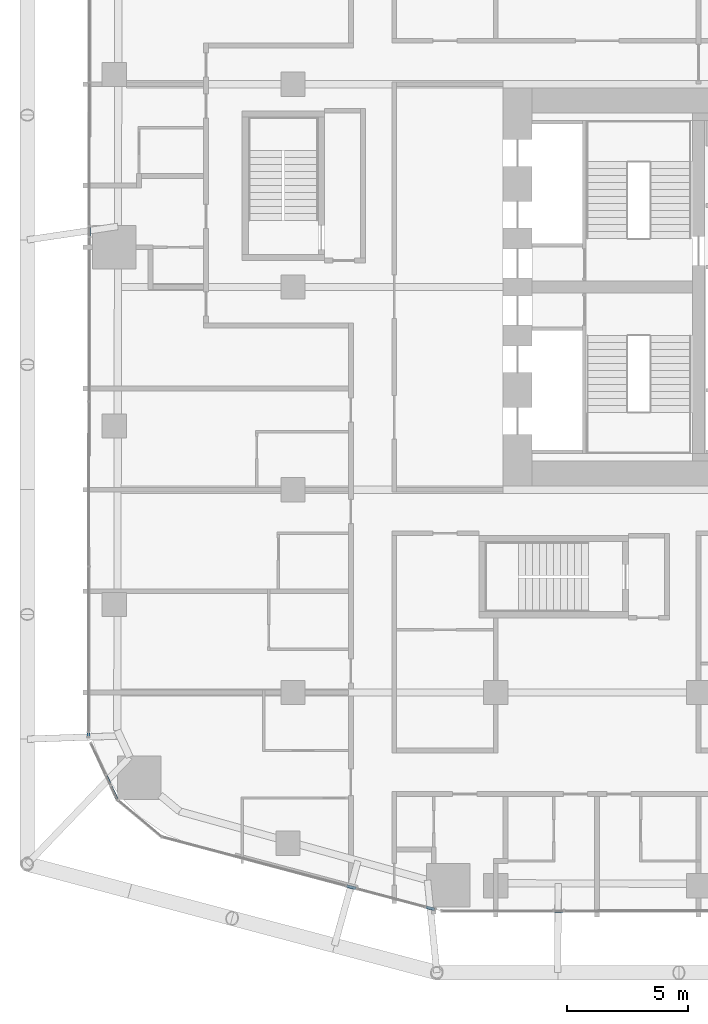
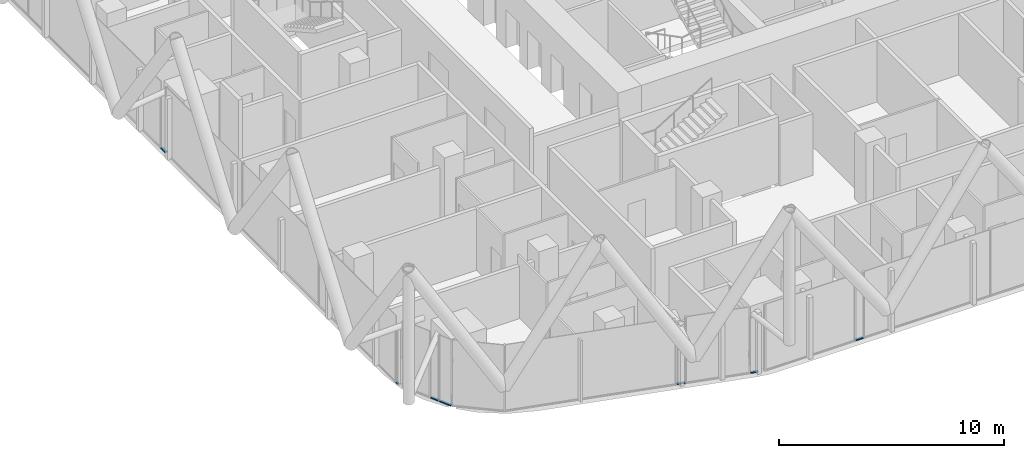
# One storey, part 16 of 38: 7 members, 7 elements without a shape of their own.
"""IFC4 building model written with IfcOpenShell, lengths in metres."""

from ifc_helpers import new_model, si_unit, direction, frame, origin, origin_2d, place, context, subcontext, project, spatial, rectangle, extrude, material, layer, layer_set, material_profile, profile_set, type_object, element, aggregate, save


model = new_model("IFC4")

# Units and contexts
model_context = context("Model", 3, precision=1e-05, world=origin(), true_north=direction((0.0, 1.0)))
body_context = subcontext(model_context, "Body", "Model", "MODEL_VIEW")
ifc_project = project(units=[si_unit("LENGTHUNIT", "METRE"), si_unit("AREAUNIT", "SQUARE_METRE"), si_unit("VOLUMEUNIT", "CUBIC_METRE"), si_unit("PLANEANGLEUNIT", "RADIAN"), si_unit("MASSUNIT", "GRAM", prefix="KILO")], contexts=[model_context])

# Site, building, storey
site_placement = place(None, origin())
site = spatial("IfcSite", under=ifc_project, at=site_placement, CompositionType="ELEMENT")
building_placement = place(site_placement, origin())
building = spatial("IfcBuilding", under=site, at=building_placement, Name="Marenta Gate Hotel Tower", CompositionType="ELEMENT")
storey_placement = place(building_placement, frame((0.0, 0.0, 40.10009765625)))
storey = spatial("IfcBuildingStorey", under=building, at=storey_placement, Name="L07", CompositionType="ELEMENT", Elevation=40.10009765625)

# Curtain wall, member
ifc_material_1 = material(Name="Tinted insulated glass in bronze anodised frame", Category="glass")
ifc_layer = layer(ifc_material_1, 0.1201171875)
ifc_layer_set = layer_set([ifc_layer], Name="Tinted insulated glass in bronze anodised frame")
curtain_wall_type = type_object("IfcCurtainWallType", Name="Tower unitised curtain wall CW1", PredefinedType="NOTDEFINED", material=ifc_layer_set)
curtain_wall_1_placement = place(storey_placement, origin())
curtain_wall_1 = element("IfcCurtainWall", 1, at=curtain_wall_1_placement, inside=storey, type_object=curtain_wall_type, Name="CW1 run G07", PredefinedType="NOTDEFINED")
ifc_material_2 = material(Name="Bronze anodised aluminium", Category="aluminium")
ifc_material_profile = material_profile(ifc_material_2, rectangle(XDim=0.1201171875, YDim=0.06005859375, at=origin_2d()), Name="Transom CW1 60x120 bronze anodised aluminium")
ifc_profile_set = profile_set([ifc_material_profile], Name="Bronze anodised aluminium")
member_type = type_object("IfcMemberType", Name="Transom CW1 60x120 bronze anodised aluminium", PredefinedType="USERDEFINED", material=ifc_profile_set)
member_1_placement = place(storey_placement, frame((-29.440185546875, 10.90087890625, 0.02978515625), z_axis=(-0.001839359243, -0.999998308377, 0.0), x_axis=(0.999998308377, -0.001839359243, 0.0)))
member_1 = element("IfcMember", 2, at=member_1_placement, type_object=member_type, Name="CW1 transom 1.1", ObjectType="TRANSOM", PredefinedType="USERDEFINED", context=body_context, shape_type="SweptSolid", body=[
    extrude(rectangle(XDim=0.1201171875, YDim=0.06005859375, at=origin_2d()), origin(), (0.0, 0.0, 1.0), 0.398193359375),
])
aggregate(curtain_wall_1, [member_1])

curtain_wall_2_placement = place(storey_placement, origin())
curtain_wall_2 = element("IfcCurtainWall", 3, at=curtain_wall_2_placement, inside=storey, type_object=curtain_wall_type, Name="CW1 run G09", PredefinedType="NOTDEFINED")
member_2_placement = place(storey_placement, frame((-29.472900390625, -10.073486328125, 0.02978515625), z_axis=(-0.001712326257, -0.999998533968, 0.0), x_axis=(0.999998533968, -0.001712326257, 0.0)))
member_2 = element("IfcMember", 4, at=member_2_placement, type_object=member_type, Name="CW1 transom 1.1", ObjectType="TRANSOM", PredefinedType="USERDEFINED", context=body_context, shape_type="SweptSolid", body=[
    extrude(rectangle(XDim=0.1201171875, YDim=0.06005859375, at=origin_2d()), origin(), (0.0, 0.0, 1.0), 0.142578125),
])
aggregate(curtain_wall_2, [member_2])

curtain_wall_3_placement = place(storey_placement, origin())
curtain_wall_3 = element("IfcCurtainWall", 5, at=curtain_wall_3_placement, inside=storey, type_object=curtain_wall_type, Name="CW1 run G11", PredefinedType="NOTDEFINED")
member_3_placement = place(storey_placement, frame((-28.739501953125, -11.84619140625, 0.02978515625), z_axis=(0.422979592387, -0.906139208082, 0.0), x_axis=(0.906139208082, 0.422979592387, 0.0)))
member_3 = element("IfcMember", 6, at=member_3_placement, type_object=member_type, Name="CW1 transom 1.1", ObjectType="TRANSOM", PredefinedType="USERDEFINED", context=body_context, shape_type="SweptSolid", body=[
    extrude(rectangle(XDim=0.1201171875, YDim=0.06005859375, at=origin_2d()), origin(), (0.0, 0.0, 1.0), 0.426025390625),
])
aggregate(curtain_wall_3, [member_3])

curtain_wall_4_placement = place(storey_placement, origin())
curtain_wall_4 = element("IfcCurtainWall", 7, at=curtain_wall_4_placement, inside=storey, type_object=curtain_wall_type, Name="CW1 run G12", PredefinedType="NOTDEFINED")
member_4_placement = place(storey_placement, frame((-28.533935546875, -12.286376953125, 0.02978515625), z_axis=(0.423321437663, -0.905979558497, 0.0), x_axis=(0.905979558497, 0.423321437663, 0.0)))
member_4 = element("IfcMember", 8, at=member_4_placement, type_object=member_type, Name="CW1 transom 1.1", ObjectType="TRANSOM", PredefinedType="USERDEFINED", context=body_context, shape_type="SweptSolid", body=[
    extrude(rectangle(XDim=0.1201171875, YDim=0.06005859375, at=origin_2d()), origin(), (0.0, 0.0, 1.0), 0.613037109375),
])
aggregate(curtain_wall_4, [member_4])

curtain_wall_5_placement = place(storey_placement, origin())
curtain_wall_5 = element("IfcCurtainWall", 9, at=curtain_wall_5_placement, inside=storey, type_object=curtain_wall_type, Name="CW1 run G15", PredefinedType="NOTDEFINED")
member_5_placement = place(storey_placement, frame((-18.7685546875, -16.41064453125, 0.02978515625), z_axis=(0.966379102199, -0.257121432076, 0.0), x_axis=(0.257121432076, 0.966379102199, 0.0)))
member_5 = element("IfcMember", 10, at=member_5_placement, type_object=member_type, Name="CW1 transom 1.1", ObjectType="TRANSOM", PredefinedType="USERDEFINED", context=body_context, shape_type="SweptSolid", body=[
    extrude(rectangle(XDim=0.1201171875, YDim=0.06005859375, at=origin_2d()), origin(), (0.0, 0.0, 1.0), 0.39306640625),
])
aggregate(curtain_wall_5, [member_5])

curtain_wall_6_placement = place(storey_placement, origin())
curtain_wall_6 = element("IfcCurtainWall", 11, at=curtain_wall_6_placement, inside=storey, type_object=curtain_wall_type, Name="CW1 run G17", PredefinedType="NOTDEFINED")
member_6_placement = place(storey_placement, frame((-15.485595703125, -17.2841796875, 0.02978515625), z_axis=(0.96644611401, -0.256869439046, 0.0), x_axis=(0.256869439046, 0.96644611401, 0.0)))
member_6 = element("IfcMember", 12, at=member_6_placement, type_object=member_type, Name="CW1 transom 1.1", ObjectType="TRANSOM", PredefinedType="USERDEFINED", context=body_context, shape_type="SweptSolid", body=[
    extrude(rectangle(XDim=0.1201171875, YDim=0.06005859375, at=origin_2d()), origin(), (0.0, 0.0, 1.0), 0.364013671875),
])
aggregate(curtain_wall_6, [member_6])

curtain_wall_7_placement = place(storey_placement, origin())
curtain_wall_7 = element("IfcCurtainWall", 13, at=curtain_wall_7_placement, inside=storey, type_object=curtain_wall_type, Name="CW1 run G19", PredefinedType="NOTDEFINED")
member_7_placement = place(storey_placement, frame((-10.185546875, -17.4423828125, 0.02978515625), z_axis=(0.999999228426, 0.001242235066, 0.0), x_axis=(-0.001242235066, 0.999999228426, 0.0)))
member_7 = element("IfcMember", 14, at=member_7_placement, type_object=member_type, Name="CW1 transom 1.1", ObjectType="TRANSOM", PredefinedType="USERDEFINED", context=body_context, shape_type="SweptSolid", body=[
    extrude(rectangle(XDim=0.1201171875, YDim=0.06005859375, at=origin_2d()), origin(), (0.0, 0.0, 1.0), 0.39306640625),
])
aggregate(curtain_wall_7, [member_7])

save(model, "model.ifc")
